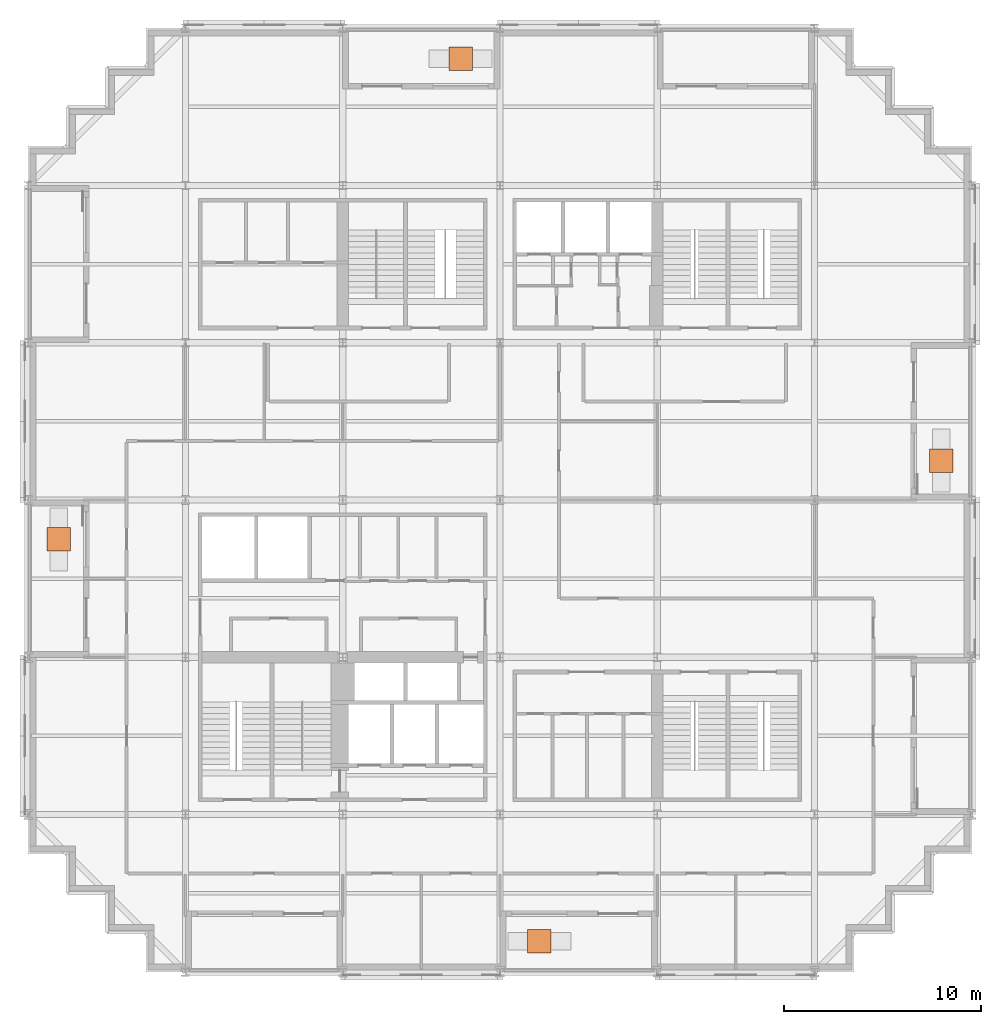
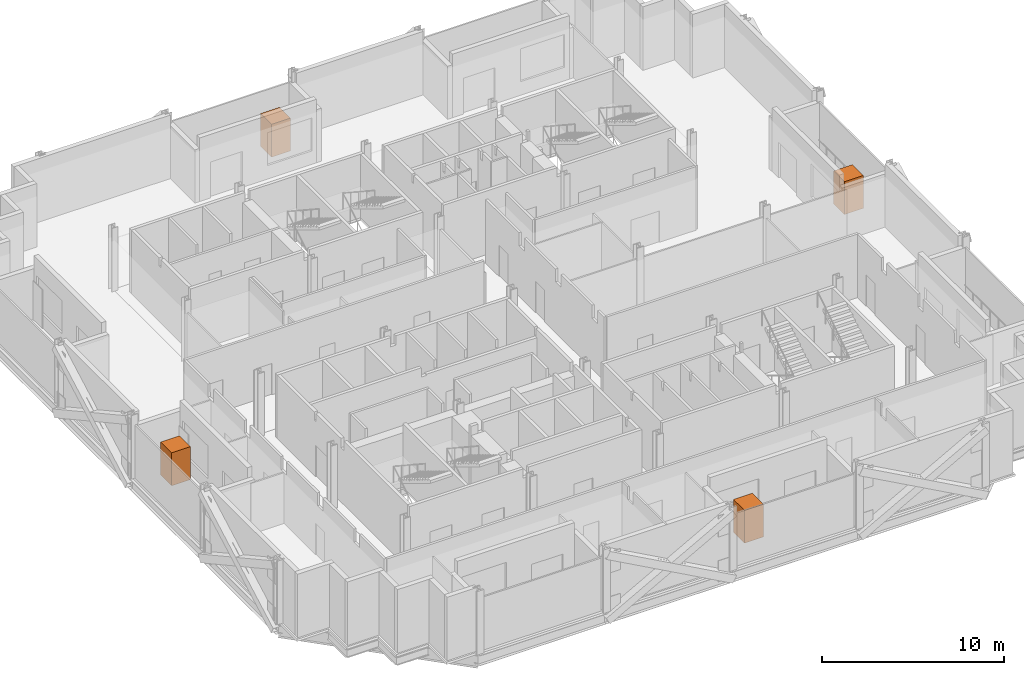
# One storey, part 14 of 14: 4 geographic elements.
"""IFC4 building model written with IfcOpenShell, lengths in metres."""

from ifc_helpers import new_model, si_unit, direction, frame, origin, origin_2d, place, context, subcontext, project, spatial, rectangle, extrude, material, type_object, element, save


model = new_model("IFC4")

# Units and contexts
model_context = context("Model", 3, precision=1e-05, world=origin(), true_north=direction((0.0, 1.0)))
body_context = subcontext(model_context, "Body", "Model", "MODEL_VIEW")
ifc_project = project(units=[si_unit("LENGTHUNIT", "METRE"), si_unit("AREAUNIT", "SQUARE_METRE"), si_unit("VOLUMEUNIT", "CUBIC_METRE"), si_unit("PLANEANGLEUNIT", "RADIAN"), si_unit("MASSUNIT", "GRAM", prefix="KILO")], contexts=[model_context])

# Site, building, storey
site_placement = place(None, origin())
site = spatial("IfcSite", under=ifc_project, at=site_placement, CompositionType="ELEMENT")
building_placement = place(site_placement, origin())
building = spatial("IfcBuilding", under=site, at=building_placement, Name="Immortelle Media Tower", CompositionType="ELEMENT")
storey_placement = place(building_placement, frame((0.0, 0.0, 48.0)))
storey = spatial("IfcBuildingStorey", under=building, at=storey_placement, Name="L07", CompositionType="ELEMENT", Elevation=48.0)

# Geographic elements
ifc_material = material(Name="Tree canopy foliage")
geographic_element_type = type_object("IfcGeographicElementType", Name="Tree", PredefinedType="USERDEFINED", material=ifc_material)
for number, where, z_axis, x_axis, name in (
    (1, (1.550048828125, 22.0, 0.60009765625), (0.0, 0.0, 1.0), (1.0, 0.0, 0.0), "Tree L07 W2"),
    (2, (26.0, 1.550048828125, 0.60009765625), (0.0, 0.0, 1.0), (1.0, 0.0, 0.0), "Tree L07 S2"),
    (3, (46.449951171875, 26.0, 0.60009765625), (0.0, 0.0, 1.0), (1.0, 0.0, 0.0), "Tree L07 E2"),
    (4, (22.0, 46.449951171875, 0.60009765625), (0.0, 0.0, 1.0), (1.0, 0.0, 0.0), "Tree L07 N2"),
):
    element("IfcGeographicElement", number, at=place(storey_placement, frame(where, z_axis=z_axis, x_axis=x_axis)), inside=storey, type_object=geographic_element_type, Name=name, ObjectType="Tree", PredefinedType="USERDEFINED", context=body_context, shape_type="SweptSolid", body=[
        extrude(rectangle(XDim=1.199951171875, YDim=1.199951171875, at=origin_2d()), origin(), (0.0, 0.0, 1.0), 2.199951171875),
    ])

save(model, "model.ifc")
